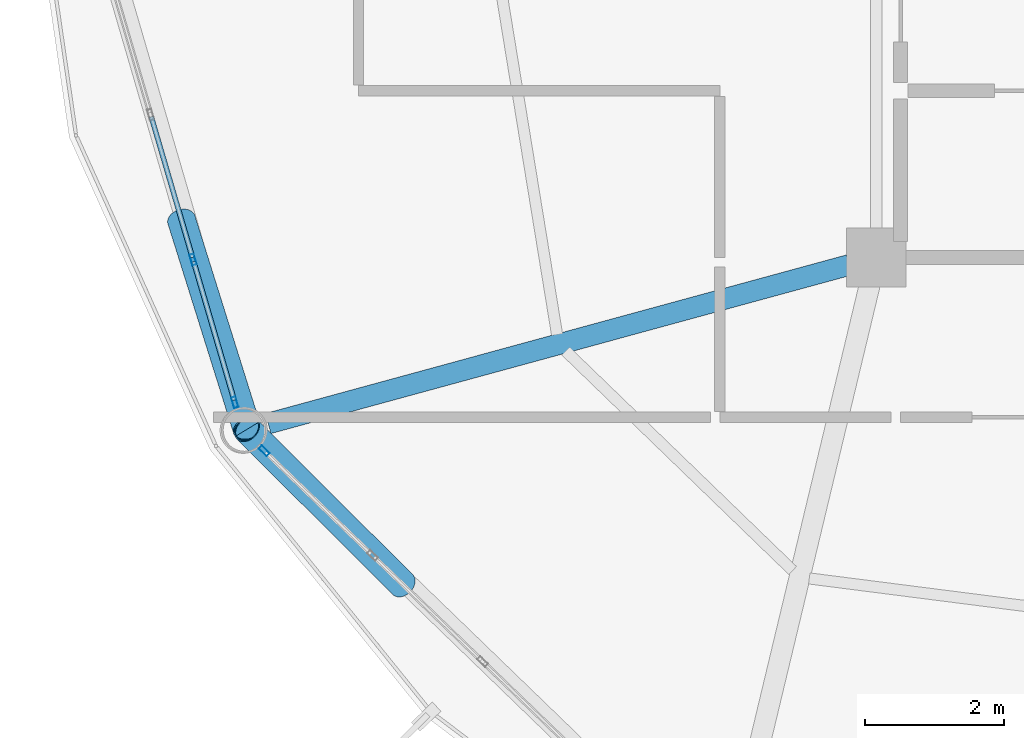
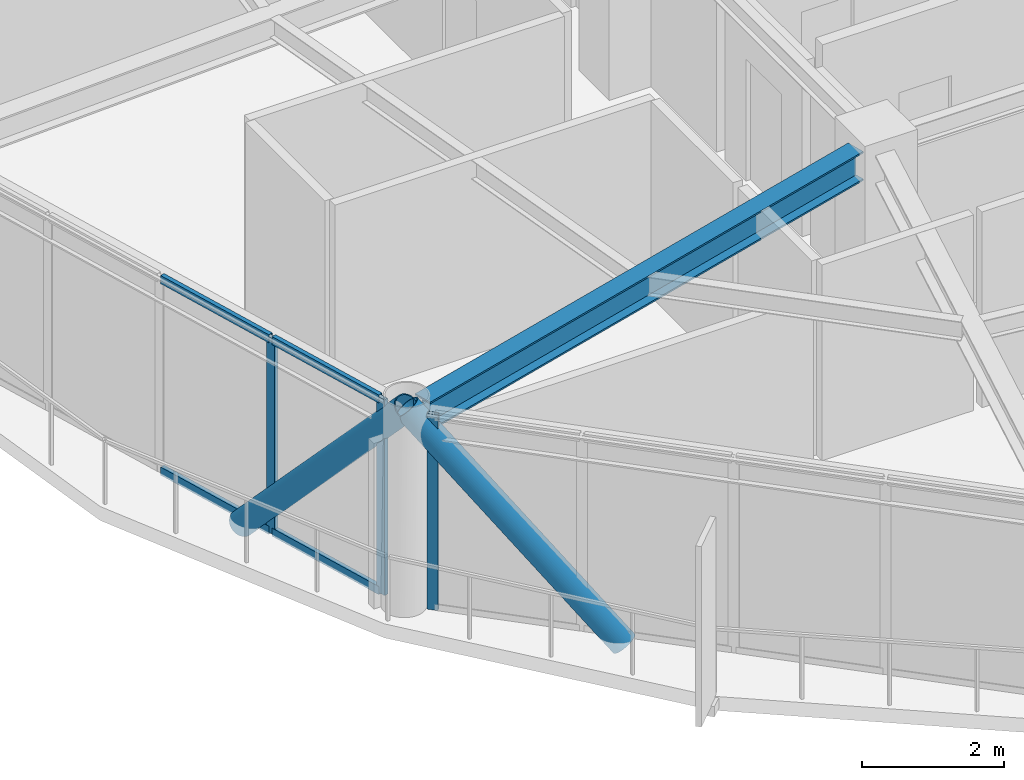
# One storey, part 4 of 26: 9 members, 1 beam, 2 elements without a shape of their own.
"""IFC4 building model written with IfcOpenShell, lengths in metres."""

from ifc_helpers import new_model, si_unit, direction, frame, origin, origin_2d, place, context, subcontext, project, spatial, hollow_rectangle, hollow_circle, i_section, extrude, material, layer, layer_set, material_profile, profile_set, type_object, element, aggregate, save


model = new_model("IFC4")

# Units and contexts
model_context = context("Model", 3, precision=1e-05, world=origin(), true_north=direction((0.0, 1.0)))
body_context = subcontext(model_context, "Body", "Model", "MODEL_VIEW")
ifc_project = project(units=[si_unit("LENGTHUNIT", "METRE"), si_unit("AREAUNIT", "SQUARE_METRE"), si_unit("VOLUMEUNIT", "CUBIC_METRE"), si_unit("PLANEANGLEUNIT", "RADIAN"), si_unit("MASSUNIT", "GRAM", prefix="KILO")], contexts=[model_context])

# Site, building, storey
site_placement = place(None, origin())
site = spatial("IfcSite", under=ifc_project, at=site_placement, CompositionType="ELEMENT")
building_placement = place(site_placement, origin())
building = spatial("IfcBuilding", under=site, at=building_placement, Name="Varnakorn Sky Granary", CompositionType="ELEMENT")
storey_placement = place(building_placement, frame((0.0, 0.0, 222.0)))
storey = spatial("IfcBuildingStorey", under=building, at=storey_placement, Name="L56", CompositionType="ELEMENT", Elevation=222.0)

# Beam
ifc_material_1 = material(Name="Steel S355JR", Category="steel")
ifc_material_profile_1 = material_profile(ifc_material_1, i_section(OverallWidth=0.300048828125, OverallDepth=0.5, WebThickness=0.014404296875, FlangeThickness=0.028076171875, at=origin_2d()), Name="HE 500 B")
ifc_profile_set_1 = profile_set([ifc_material_profile_1], Name="Steel S355JR")
beam_type = type_object("IfcBeamType", Name="BM-RAD-Z4", PredefinedType="BEAM", material=ifc_profile_set_1)
beam_placement = place(storey_placement, frame((-2.74072265625, -6.70654296875, 3.110107421875), z_axis=(-0.964719587731, -0.263279541644, 0.0), x_axis=(0.263279541644, -0.964719587731, 0.0)))
element("IfcBeam", 1, at=beam_placement, inside=storey, type_object=beam_type, Name="Radial Floor Girder RG08 L56", PredefinedType="BEAM", context=body_context, shape_type="SweptSolid", body=[
    extrude(i_section(OverallWidth=0.300048828125, OverallDepth=0.5, WebThickness=0.014404296875, FlangeThickness=0.028076171875, at=origin_2d()), origin(), (0.0, 0.0, 1.0), 8.663818359375),
])

# Curtain wall, members
ifc_material_2 = material(Name="Anodised Bronze Aluminium Alloy 6063-T6", Category="aluminium")
ifc_layer = layer(ifc_material_2, 0.169921875, Name="Anodised Bronze Aluminium Alloy 6063-T6")
ifc_layer_set = layer_set([ifc_layer], Name="Anodised Bronze Aluminium Alloy 6063-T6")
curtain_wall_type = type_object("IfcCurtainWallType", Name="CW-LAB-1", PredefinedType="USERDEFINED", material=ifc_layer_set)
curtain_wall_1_placement = place(storey_placement, origin())
curtain_wall_1 = element("IfcCurtainWall", 2, at=curtain_wall_1_placement, inside=storey, type_object=curtain_wall_type, Name="Unitised Curtain Wall CW5 CW-L56-B07", ObjectType="CURTAIN WALL", PredefinedType="USERDEFINED")
ifc_material_profile_2 = material_profile(ifc_material_2, hollow_rectangle(XDim=0.06494140625, YDim=0.159912109375, WallThickness=0.00341796875, at=origin_2d()), Name="ALU MULL 65x160")
ifc_profile_set_2 = profile_set([ifc_material_profile_2], Name="Anodised Bronze Aluminium Alloy 6063-T6")
member_type_1 = type_object("IfcMemberType", Name="CW-LAB-1-MULL", PredefinedType="MULLION", material=ifc_profile_set_2)
member_1_placement = place(storey_placement, frame((-11.579345703125, -8.68212890625, 0.0), z_axis=(0.0, 0.0, 1.0), x_axis=(-0.959779398669, -0.280755241964, 0.0)))
member_1 = element("IfcMember", 3, at=member_1_placement, type_object=member_type_1, Name="CW5 mullion 1", PredefinedType="MULLION", context=body_context, shape_type="SweptSolid", body=[
    extrude(hollow_rectangle(XDim=0.06494140625, YDim=0.159912109375, WallThickness=0.00341796875, at=origin_2d()), origin(), (0.0, 0.0, 1.0), 3.360107421875),
])
member_2_placement = place(storey_placement, frame((-12.179931640625, -6.62841796875, 0.0), z_axis=(0.0, 0.0, 1.0), x_axis=(-0.959779398669, -0.280755241964, 0.0)))
member_2 = element("IfcMember", 4, at=member_2_placement, type_object=member_type_1, Name="CW5 mullion 2", PredefinedType="MULLION", context=body_context, shape_type="SweptSolid", body=[
    extrude(hollow_rectangle(XDim=0.06494140625, YDim=0.159912109375, WallThickness=0.00341796875, at=origin_2d()), origin(), (0.0, 0.0, 1.0), 3.360107421875),
])

# Curtain wall, member
curtain_wall_2_placement = place(storey_placement, origin())
curtain_wall_2 = element("IfcCurtainWall", 5, at=curtain_wall_2_placement, inside=storey, type_object=curtain_wall_type, Name="Unitised Curtain Wall CW5 CW-L56-B08", ObjectType="CURTAIN WALL", PredefinedType="USERDEFINED")
member_3_placement = place(storey_placement, frame((-11.15673828125, -9.380859375, 0.0), z_axis=(0.0, 0.0, 1.0), x_axis=(-0.694404067281, -0.719585291222, 0.0)))
member_3 = element("IfcMember", 6, at=member_3_placement, type_object=member_type_1, Name="CW5 mullion 5", PredefinedType="MULLION", context=body_context, shape_type="SweptSolid", body=[
    extrude(hollow_rectangle(XDim=0.06494140625, YDim=0.159912109375, WallThickness=0.00341796875, at=origin_2d()), origin(), (0.0, 0.0, 1.0), 3.360107421875),
])
aggregate(curtain_wall_2, [member_3])

# Member
ifc_material_profile_3 = material_profile(ifc_material_2, hollow_rectangle(XDim=0.070068359375, YDim=0.139892578125, WallThickness=0.00341796875, at=origin_2d()), Name="ALU TRAN 70x140")
ifc_profile_set_3 = profile_set([ifc_material_profile_3], Name="Anodised Bronze Aluminium Alloy 6063-T6")
member_type_2 = type_object("IfcMemberType", Name="CW-LAB-1-TRAN", PredefinedType="USERDEFINED", material=ifc_profile_set_3)
member_4_placement = place(storey_placement, frame((-11.58837890625, -8.65087890625, 0.034912109375), z_axis=(-0.280777140781, 0.959772992543, 0.0), x_axis=(-0.959772992543, -0.280777140781, 0.0)))
member_4 = element("IfcMember", 7, at=member_4_placement, type_object=member_type_2, Name="CW5 transom 1.1", ObjectType="TRANSOM", PredefinedType="USERDEFINED", context=body_context, shape_type="SweptSolid", body=[
    extrude(hollow_rectangle(XDim=0.070068359375, YDim=0.139892578125, WallThickness=0.00341796875, at=origin_2d()), origin(), (0.0, 0.0, 1.0), 2.07470703125),
])

member_5_placement = place(storey_placement, frame((-11.58837890625, -8.65087890625, 3.324951171875), z_axis=(-0.280777140781, 0.959772992543, 0.0), x_axis=(-0.959772992543, -0.280777140781, 0.0)))
member_5 = element("IfcMember", 8, at=member_5_placement, type_object=member_type_2, Name="CW5 transom 1.2", ObjectType="TRANSOM", PredefinedType="USERDEFINED", context=body_context, shape_type="SweptSolid", body=[
    extrude(hollow_rectangle(XDim=0.070068359375, YDim=0.139892578125, WallThickness=0.00341796875, at=origin_2d()), origin(), (0.0, 0.0, 1.0), 2.07470703125),
])

member_6_placement = place(storey_placement, frame((-12.189208984375, -6.59716796875, 0.034912109375), z_axis=(-0.280760781886, 0.959777778111, 0.0), x_axis=(-0.959777778111, -0.280760781886, 0.0)))
member_6 = element("IfcMember", 9, at=member_6_placement, type_object=member_type_2, Name="CW5 transom 2.1", ObjectType="TRANSOM", PredefinedType="USERDEFINED", context=body_context, shape_type="SweptSolid", body=[
    extrude(hollow_rectangle(XDim=0.070068359375, YDim=0.139892578125, WallThickness=0.00341796875, at=origin_2d()), origin(), (0.0, 0.0, 1.0), 2.10693359375),
])

member_7_placement = place(storey_placement, frame((-12.189208984375, -6.59716796875, 3.324951171875), z_axis=(-0.280760781886, 0.959777778111, 0.0), x_axis=(-0.959777778111, -0.280760781886, 0.0)))
member_7 = element("IfcMember", 10, at=member_7_placement, type_object=member_type_2, Name="CW5 transom 2.2", ObjectType="TRANSOM", PredefinedType="USERDEFINED", context=body_context, shape_type="SweptSolid", body=[
    extrude(hollow_rectangle(XDim=0.070068359375, YDim=0.139892578125, WallThickness=0.00341796875, at=origin_2d()), origin(), (0.0, 0.0, 1.0), 2.10693359375),
])

aggregate(curtain_wall_1, [member_1, member_2, member_4, member_5, member_6, member_7])

# Members
ifc_material_3 = material(Name="Steel S460M", Category="steel")
ifc_material_profile_4 = material_profile(ifc_material_3, hollow_circle(Radius=0.203125, WallThickness=0.01611328125, at=origin_2d()), Name="CHS 406.4x16")
ifc_profile_set_4 = profile_set([ifc_material_profile_4], Name="Steel S460M")
member_type_3 = type_object("IfcMemberType", Name="MB-DIAG-T4", PredefinedType="BRACE", material=ifc_profile_set_4)
member_8_placement = place(storey_placement, frame((-12.3466796875, -6.058349609375, -0.1298828125), z_axis=(0.200622208187, -0.640102613035, 0.741632910791), x_axis=(0.954229178866, 0.29907636851, 0.0)))
element("IfcMember", 11, at=member_8_placement, inside=storey, type_object=member_type_3, Name="Perimeter CHS Diagrid Brace DG07 L56", PredefinedType="BRACE", context=body_context, shape_type="SweptSolid", body=[
    extrude(hollow_circle(Radius=0.203125, WallThickness=0.01611328125, at=origin_2d()), origin(), (0.0, 0.0, 1.0), 4.705810546875),
])
member_9_placement = place(storey_placement, frame((-9.162841796875, -11.304931640625, -0.1298828125), z_axis=(-0.475478240054, 0.474338004466, 0.740893987527), x_axis=(-0.70625740459, -0.707955138736, 0.0)))
element("IfcMember", 12, at=member_9_placement, inside=storey, type_object=member_type_3, Name="Perimeter CHS Diagrid Brace DG08 L56", PredefinedType="BRACE", context=body_context, shape_type="SweptSolid", body=[
    extrude(hollow_circle(Radius=0.203125, WallThickness=0.01611328125, at=origin_2d()), origin(), (0.0, 0.0, 1.0), 4.71044921875),
])

save(model, "model.ifc")
